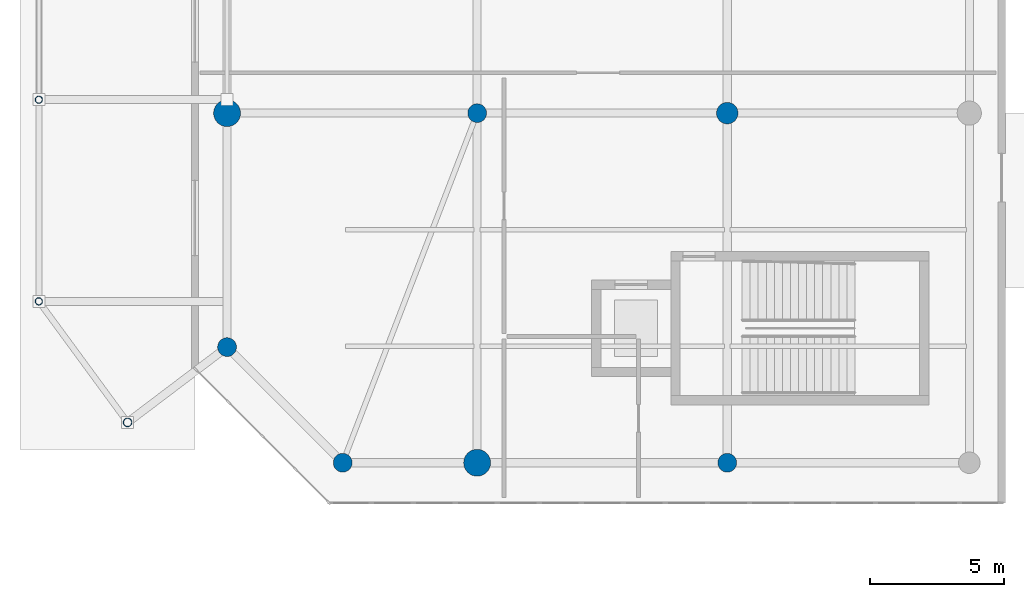
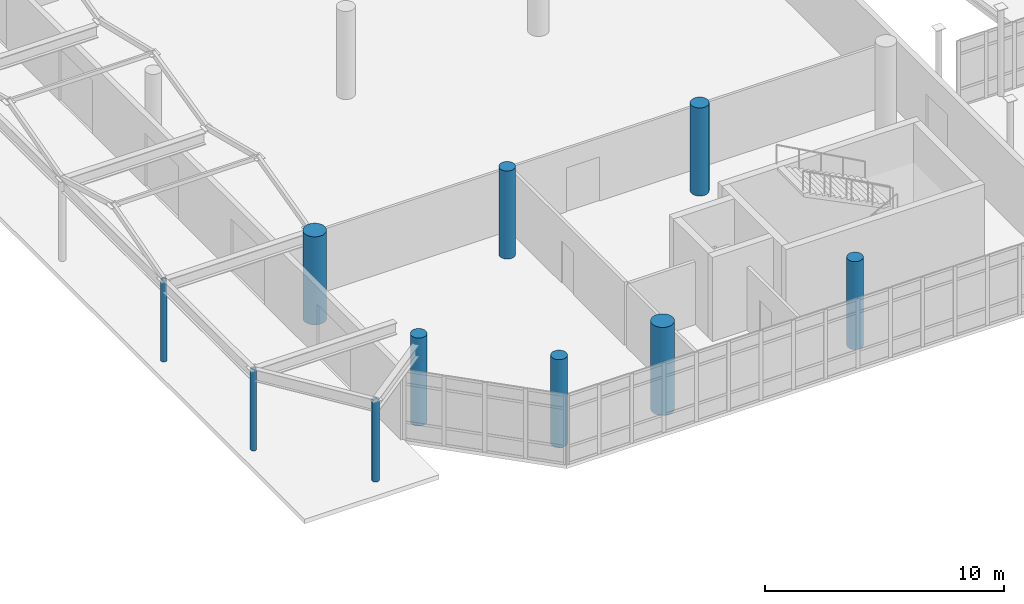
# One storey, part 1 of 122: 10 columns.
"""IFC4 building model written with IfcOpenShell, lengths in metres."""

from ifc_helpers import new_model, si_unit, direction, frame, origin, origin_2d, place, context, subcontext, project, spatial, circle, hollow_circle, extrude, material, material_profile, profile_set, type_object, element, save


model = new_model("IFC4")

# Units and contexts
model_context = context("Model", 3, precision=1e-05, world=origin(), true_north=direction((0.0, 1.0)))
body_context = subcontext(model_context, "Body", "Model", "MODEL_VIEW")
ifc_project = project(units=[si_unit("LENGTHUNIT", "METRE"), si_unit("AREAUNIT", "SQUARE_METRE"), si_unit("VOLUMEUNIT", "CUBIC_METRE"), si_unit("PLANEANGLEUNIT", "RADIAN"), si_unit("MASSUNIT", "GRAM", prefix="KILO")], contexts=[model_context])

# Site, building, storey
site_placement = place(None, origin())
site = spatial("IfcSite", under=ifc_project, at=site_placement, CompositionType="ELEMENT")
building_placement = place(site_placement, origin())
building = spatial("IfcBuilding", under=site, at=building_placement, Name="Sohan Crest Arena", CompositionType="ELEMENT")
storey_placement = place(building_placement, origin())
storey = spatial("IfcBuildingStorey", under=building, at=storey_placement, Name="L00", CompositionType="ELEMENT", Elevation=0.0)

# Columns
ifc_material_1 = material(Name="Concrete C40/50", Category="concrete")
ifc_material_profile_1 = material_profile(ifc_material_1, circle(Radius=0.35009765625, at=origin_2d()), Name="RC D700")
ifc_profile_set_1 = profile_set([ifc_material_profile_1], Name="Concrete C40/50")
column_type_1 = type_object("IfcColumnType", Name="STR-COL-C13", PredefinedType="COLUMN", material=ifc_profile_set_1)
for number, where, z_axis, x_axis, name in (
    (1, (24.5, 64.5, 0.0), (0.0, 0.0, 1.0), (1.0, 0.0, 0.0), "Structural column COL-V3C-22-L00"),
    (2, (33.800048828125, 51.5, 0.0), (0.0, 0.0, 1.0), (1.0, 0.0, 0.0), "Structural column COL-V3C-31-L00"),
    (3, (19.5, 51.5, 0.0), (0.0, 0.0, 1.0), (1.0, 0.0, 0.0), "Structural column COL-V3CH-1-L00"),
    (4, (15.199951171875, 55.800048828125, 0.0), (0.0, 0.0, 1.0), (1.0, 0.0, 0.0), "Structural column COL-V3CH-2-L00"),
):
    element("IfcColumn", number, at=place(storey_placement, frame(where, z_axis=z_axis, x_axis=x_axis)), inside=storey, type_object=column_type_1, Name=name, PredefinedType="COLUMN", context=body_context, shape_type="SweptSolid", body=[
        extrude(circle(Radius=0.35009765625, at=origin_2d()), origin(), (0.0, 0.0, 1.0), 4.5),
    ])
ifc_material_profile_2 = material_profile(ifc_material_1, circle(Radius=0.39990234375, at=origin_2d()), Name="RC D800")
ifc_profile_set_2 = profile_set([ifc_material_profile_2], Name="Concrete C40/50")
column_type_2 = type_object("IfcColumnType", Name="STR-COL-C14", PredefinedType="COLUMN", material=ifc_profile_set_2)
column_1_placement = place(storey_placement, frame((33.800048828125, 64.5, 0.0), z_axis=(0.0, 0.0, 1.0), x_axis=(1.0, 0.0, 0.0)))
element("IfcColumn", 5, at=column_1_placement, inside=storey, type_object=column_type_2, Name="Structural column COL-V3C-32-L00", PredefinedType="COLUMN", context=body_context, shape_type="SweptSolid", body=[
    extrude(circle(Radius=0.39990234375, at=origin_2d()), origin(), (0.0, 0.0, 1.0), 4.5),
])
ifc_material_profile_3 = material_profile(ifc_material_1, circle(Radius=0.5, at=origin_2d()), Name="RC D1000")
ifc_profile_set_3 = profile_set([ifc_material_profile_3], Name="Concrete C40/50")
column_type_3 = type_object("IfcColumnType", Name="STR-COL-C16", PredefinedType="COLUMN", material=ifc_profile_set_3)
for number, where, z_axis, x_axis, name in (
    (6, (15.199951171875, 64.5, 0.0), (0.0, 0.0, 1.0), (1.0, 0.0, 0.0), "Structural column COL-V3C-12-L00"),
    (7, (24.5, 51.5, 0.0), (0.0, 0.0, 1.0), (1.0, 0.0, 0.0), "Structural column COL-V3C-21-L00"),
):
    element("IfcColumn", number, at=place(storey_placement, frame(where, z_axis=z_axis, x_axis=x_axis)), inside=storey, type_object=column_type_3, Name=name, PredefinedType="COLUMN", context=body_context, shape_type="SweptSolid", body=[
        extrude(circle(Radius=0.5, at=origin_2d()), origin(), (0.0, 0.0, 1.0), 4.5),
    ])
ifc_material_2 = material(Name="Steel S355", Category="steel")
ifc_material_profile_4 = material_profile(ifc_material_2, hollow_circle(Radius=0.136474609375, WallThickness=0.012451171875, at=origin_2d()), Name="CHS 273x12.5")
ifc_profile_set_4 = profile_set([ifc_material_profile_4], Name="Steel S355")
column_type_4 = type_object("IfcColumnType", Name="STR-COL-C25", PredefinedType="COLUMN", material=ifc_profile_set_4)
for number, where, z_axis, x_axis, name in (
    (8, (8.199951171875, 65.0, 0.0), (0.0, 0.0, 1.0), (1.0, 0.0, 0.0), "Structural column COL-V3P-01-L00"),
    (9, (8.199951171875, 57.5, 0.0), (0.0, 0.0, 1.0), (1.0, 0.0, 0.0), "Structural column COL-V3P-07-L00"),
):
    element("IfcColumn", number, at=place(storey_placement, frame(where, z_axis=z_axis, x_axis=x_axis)), inside=storey, type_object=column_type_4, Name=name, PredefinedType="COLUMN", context=body_context, shape_type="SweptSolid", body=[
        extrude(hollow_circle(Radius=0.136474609375, WallThickness=0.012451171875, at=origin_2d()), origin(), (0.0, 0.0, 1.0), 4.139892578125),
    ])
ifc_material_profile_5 = material_profile(ifc_material_2, hollow_circle(Radius=0.161865234375, WallThickness=0.012451171875, at=origin_2d()), Name="CHS 323.9x12.5")
ifc_profile_set_5 = profile_set([ifc_material_profile_5], Name="Steel S355")
column_type_5 = type_object("IfcColumnType", Name="STR-COL-C26", PredefinedType="COLUMN", material=ifc_profile_set_5)
column_2_placement = place(storey_placement, frame((11.5, 53.0, 0.0), z_axis=(0.0, 0.0, 1.0), x_axis=(1.0, 0.0, 0.0)))
element("IfcColumn", 10, at=column_2_placement, inside=storey, type_object=column_type_5, Name="Structural column COL-V3P-05-L00", PredefinedType="COLUMN", context=body_context, shape_type="SweptSolid", body=[
    extrude(hollow_circle(Radius=0.161865234375, WallThickness=0.012451171875, at=origin_2d()), origin(), (0.0, 0.0, 1.0), 4.139892578125),
])

save(model, "model.ifc")
